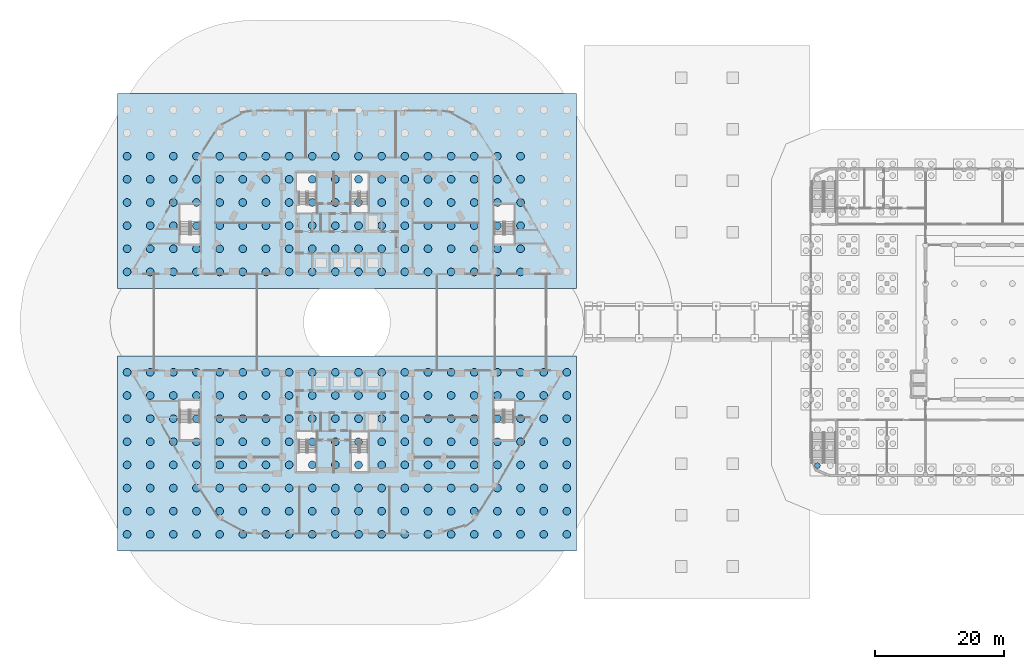
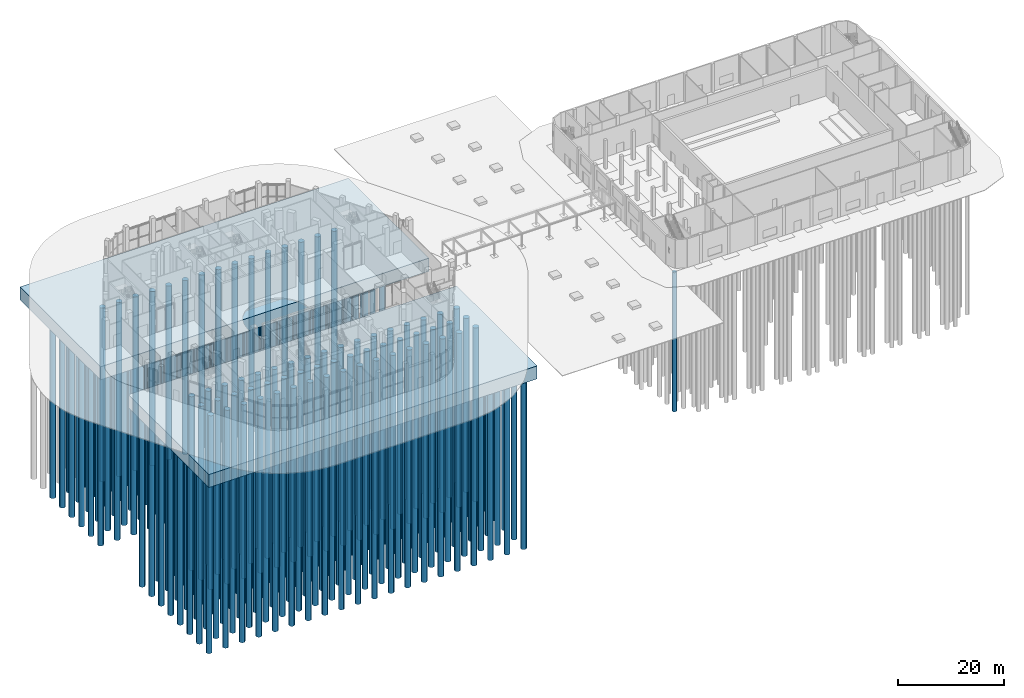
# One storey, part 1 of 44: 269 piles, 2 footings.
"""IFC4 building model written with IfcOpenShell, lengths in metres."""

from ifc_helpers import new_model, si_unit, direction, frame, origin, origin_2d, place, context, subcontext, project, spatial, rectangle, circle, extrude, material, material_profile, profile_set, type_object, element, save


model = new_model("IFC4")

# Units and contexts
model_context = context("Model", 3, precision=1e-05, world=origin(), true_north=direction((0.0, 1.0)))
body_context = subcontext(model_context, "Body", "Model", "MODEL_VIEW")
ifc_project = project(units=[si_unit("LENGTHUNIT", "METRE"), si_unit("AREAUNIT", "SQUARE_METRE"), si_unit("VOLUMEUNIT", "CUBIC_METRE"), si_unit("PLANEANGLEUNIT", "RADIAN"), si_unit("MASSUNIT", "GRAM", prefix="KILO")], contexts=[model_context])

# Site, building, storey
site_placement = place(None, origin())
site = spatial("IfcSite", under=ifc_project, at=site_placement, CompositionType="ELEMENT")
building_placement = place(site_placement, origin())
building = spatial("IfcBuilding", under=site, at=building_placement, Name="Nakaniwa Court", CompositionType="ELEMENT")
storey_placement = place(building_placement, origin())
storey = spatial("IfcBuildingStorey", under=building, at=storey_placement, Name="L00", CompositionType="ELEMENT", Elevation=0.0)

# Piles
ifc_material_1 = material(Name="Concrete C50/60", Category="concrete")
ifc_material_profile_1 = material_profile(ifc_material_1, circle(Radius=0.60009765625, at=origin_2d()), Name="Concrete C50/60 bored pile D1200")
ifc_profile_set_1 = profile_set([ifc_material_profile_1], Name="Concrete C50/60")
pile_type_1 = type_object("IfcPileType", Name="Concrete C50/60 bored pile D1200", PredefinedType="BORED", material=ifc_profile_set_1)
for number, where, z_axis, x_axis, name in (
    (1, (45.800048828125, 46.99853515625, -4.64990234375), (0.0, 0.0, -1.0), (1.0, 0.0, 0.0), "BORED PILE"),
    (2, (45.800048828125, 50.5986328125, -4.64990234375), (0.0, 0.0, -1.0), (1.0, 0.0, 0.0), "BORED PILE"),
    (3, (45.800048828125, 54.198486328125, -4.64990234375), (0.0, 0.0, -1.0), (1.0, 0.0, 0.0), "BORED PILE"),
    (4, (45.800048828125, 57.798583984375, -4.64990234375), (0.0, 0.0, -1.0), (1.0, 0.0, 0.0), "BORED PILE"),
    (5, (45.800048828125, 61.398681640625, -4.64990234375), (0.0, 0.0, -1.0), (1.0, 0.0, 0.0), "BORED PILE"),
    (6, (45.800048828125, 64.99853515625, -4.64990234375), (0.0, 0.0, -1.0), (1.0, 0.0, 0.0), "BORED PILE"),
    (7, (45.800048828125, 68.5986328125, -4.64990234375), (0.0, 0.0, -1.0), (1.0, 0.0, 0.0), "BORED PILE"),
    (8, (45.800048828125, 72.198486328125, -4.64990234375), (0.0, 0.0, -1.0), (1.0, 0.0, 0.0), "BORED PILE"),
    (9, (49.39990234375, 46.99853515625, -4.64990234375), (0.0, 0.0, -1.0), (1.0, 0.0, 0.0), "BORED PILE"),
    (10, (49.39990234375, 50.5986328125, -4.64990234375), (0.0, 0.0, -1.0), (1.0, 0.0, 0.0), "BORED PILE"),
    (11, (49.39990234375, 54.198486328125, -4.64990234375), (0.0, 0.0, -1.0), (1.0, 0.0, 0.0), "BORED PILE"),
    (12, (49.39990234375, 57.798583984375, -4.64990234375), (0.0, 0.0, -1.0), (1.0, 0.0, 0.0), "BORED PILE"),
    (13, (49.39990234375, 61.398681640625, -4.64990234375), (0.0, 0.0, -1.0), (1.0, 0.0, 0.0), "BORED PILE"),
    (14, (49.39990234375, 64.99853515625, -4.64990234375), (0.0, 0.0, -1.0), (1.0, 0.0, 0.0), "BORED PILE"),
    (15, (49.39990234375, 68.5986328125, -4.64990234375), (0.0, 0.0, -1.0), (1.0, 0.0, 0.0), "BORED PILE"),
    (16, (49.39990234375, 72.198486328125, -4.64990234375), (0.0, 0.0, -1.0), (1.0, 0.0, 0.0), "BORED PILE"),
    (17, (53.0, 46.99853515625, -4.64990234375), (0.0, 0.0, -1.0), (1.0, 0.0, 0.0), "BORED PILE"),
    (18, (53.0, 50.5986328125, -4.64990234375), (0.0, 0.0, -1.0), (1.0, 0.0, 0.0), "BORED PILE"),
    (19, (53.0, 54.198486328125, -4.64990234375), (0.0, 0.0, -1.0), (1.0, 0.0, 0.0), "BORED PILE"),
    (20, (53.0, 57.798583984375, -4.64990234375), (0.0, 0.0, -1.0), (1.0, 0.0, 0.0), "BORED PILE"),
    (21, (53.0, 61.398681640625, -4.64990234375), (0.0, 0.0, -1.0), (1.0, 0.0, 0.0), "BORED PILE"),
    (22, (53.0, 64.99853515625, -4.64990234375), (0.0, 0.0, -1.0), (1.0, 0.0, 0.0), "BORED PILE"),
    (23, (53.0, 68.5986328125, -4.64990234375), (0.0, 0.0, -1.0), (1.0, 0.0, 0.0), "BORED PILE"),
    (24, (53.0, 72.198486328125, -4.64990234375), (0.0, 0.0, -1.0), (1.0, 0.0, 0.0), "BORED PILE"),
    (25, (56.60009765625, 46.99853515625, -4.64990234375), (0.0, 0.0, -1.0), (1.0, 0.0, 0.0), "BORED PILE"),
    (26, (56.60009765625, 50.5986328125, -4.64990234375), (0.0, 0.0, -1.0), (1.0, 0.0, 0.0), "BORED PILE"),
    (27, (56.60009765625, 54.198486328125, -4.64990234375), (0.0, 0.0, -1.0), (1.0, 0.0, 0.0), "BORED PILE"),
    (28, (56.60009765625, 57.798583984375, -4.64990234375), (0.0, 0.0, -1.0), (1.0, 0.0, 0.0), "BORED PILE"),
    (29, (56.60009765625, 61.398681640625, -4.64990234375), (0.0, 0.0, -1.0), (1.0, 0.0, 0.0), "BORED PILE"),
    (30, (56.60009765625, 64.99853515625, -4.64990234375), (0.0, 0.0, -1.0), (1.0, 0.0, 0.0), "BORED PILE"),
    (31, (56.60009765625, 68.5986328125, -4.64990234375), (0.0, 0.0, -1.0), (1.0, 0.0, 0.0), "BORED PILE"),
    (32, (56.60009765625, 72.198486328125, -4.64990234375), (0.0, 0.0, -1.0), (1.0, 0.0, 0.0), "BORED PILE"),
    (33, (60.199951171875, 46.99853515625, -4.64990234375), (0.0, 0.0, -1.0), (1.0, 0.0, 0.0), "BORED PILE"),
    (34, (60.199951171875, 50.5986328125, -4.64990234375), (0.0, 0.0, -1.0), (1.0, 0.0, 0.0), "BORED PILE"),
    (35, (60.199951171875, 54.198486328125, -4.64990234375), (0.0, 0.0, -1.0), (1.0, 0.0, 0.0), "BORED PILE"),
    (36, (60.199951171875, 57.798583984375, -4.64990234375), (0.0, 0.0, -1.0), (1.0, 0.0, 0.0), "BORED PILE"),
    (37, (60.199951171875, 61.398681640625, -4.64990234375), (0.0, 0.0, -1.0), (1.0, 0.0, 0.0), "BORED PILE"),
    (38, (60.199951171875, 64.99853515625, -4.64990234375), (0.0, 0.0, -1.0), (1.0, 0.0, 0.0), "BORED PILE"),
    (39, (60.199951171875, 68.5986328125, -4.64990234375), (0.0, 0.0, -1.0), (1.0, 0.0, 0.0), "BORED PILE"),
    (40, (60.199951171875, 72.198486328125, -4.64990234375), (0.0, 0.0, -1.0), (1.0, 0.0, 0.0), "BORED PILE"),
    (41, (63.800048828125, 46.99853515625, -4.64990234375), (0.0, 0.0, -1.0), (1.0, 0.0, 0.0), "BORED PILE"),
    (42, (63.800048828125, 50.5986328125, -4.64990234375), (0.0, 0.0, -1.0), (1.0, 0.0, 0.0), "BORED PILE"),
    (43, (63.800048828125, 54.198486328125, -4.64990234375), (0.0, 0.0, -1.0), (1.0, 0.0, 0.0), "BORED PILE"),
    (44, (63.800048828125, 57.798583984375, -4.64990234375), (0.0, 0.0, -1.0), (1.0, 0.0, 0.0), "BORED PILE"),
    (45, (63.800048828125, 61.398681640625, -4.64990234375), (0.0, 0.0, -1.0), (1.0, 0.0, 0.0), "BORED PILE"),
    (46, (63.800048828125, 64.99853515625, -4.64990234375), (0.0, 0.0, -1.0), (1.0, 0.0, 0.0), "BORED PILE"),
    (47, (63.800048828125, 68.5986328125, -4.64990234375), (0.0, 0.0, -1.0), (1.0, 0.0, 0.0), "BORED PILE"),
    (48, (63.800048828125, 72.198486328125, -4.64990234375), (0.0, 0.0, -1.0), (1.0, 0.0, 0.0), "BORED PILE"),
    (49, (67.39990234375, 46.99853515625, -4.64990234375), (0.0, 0.0, -1.0), (1.0, 0.0, 0.0), "BORED PILE"),
    (50, (67.39990234375, 50.5986328125, -4.64990234375), (0.0, 0.0, -1.0), (1.0, 0.0, 0.0), "BORED PILE"),
    (51, (67.39990234375, 54.198486328125, -4.64990234375), (0.0, 0.0, -1.0), (1.0, 0.0, 0.0), "BORED PILE"),
    (52, (67.39990234375, 57.798583984375, -4.64990234375), (0.0, 0.0, -1.0), (1.0, 0.0, 0.0), "BORED PILE"),
    (53, (67.39990234375, 61.398681640625, -4.64990234375), (0.0, 0.0, -1.0), (1.0, 0.0, 0.0), "BORED PILE"),
    (54, (67.39990234375, 64.99853515625, -4.64990234375), (0.0, 0.0, -1.0), (1.0, 0.0, 0.0), "BORED PILE"),
    (55, (67.39990234375, 68.5986328125, -4.64990234375), (0.0, 0.0, -1.0), (1.0, 0.0, 0.0), "BORED PILE"),
    (56, (67.39990234375, 72.198486328125, -4.64990234375), (0.0, 0.0, -1.0), (1.0, 0.0, 0.0), "BORED PILE"),
    (57, (71.0, 46.99853515625, -4.64990234375), (0.0, 0.0, -1.0), (1.0, 0.0, 0.0), "BORED PILE"),
    (58, (71.0, 50.5986328125, -4.64990234375), (0.0, 0.0, -1.0), (1.0, 0.0, 0.0), "BORED PILE"),
    (59, (71.0, 54.198486328125, -4.64990234375), (0.0, 0.0, -1.0), (1.0, 0.0, 0.0), "BORED PILE"),
    (60, (71.0, 57.798583984375, -4.64990234375), (0.0, 0.0, -1.0), (1.0, 0.0, 0.0), "BORED PILE"),
    (61, (71.0, 61.398681640625, -4.64990234375), (0.0, 0.0, -1.0), (1.0, 0.0, 0.0), "BORED PILE"),
    (62, (71.0, 64.99853515625, -4.64990234375), (0.0, 0.0, -1.0), (1.0, 0.0, 0.0), "BORED PILE"),
    (63, (71.0, 68.5986328125, -4.64990234375), (0.0, 0.0, -1.0), (1.0, 0.0, 0.0), "BORED PILE"),
    (64, (71.0, 72.198486328125, -4.64990234375), (0.0, 0.0, -1.0), (1.0, 0.0, 0.0), "BORED PILE"),
    (65, (74.60009765625, 46.99853515625, -4.64990234375), (0.0, 0.0, -1.0), (1.0, 0.0, 0.0), "BORED PILE"),
    (66, (74.60009765625, 50.5986328125, -4.64990234375), (0.0, 0.0, -1.0), (1.0, 0.0, 0.0), "BORED PILE"),
    (67, (74.60009765625, 54.198486328125, -4.64990234375), (0.0, 0.0, -1.0), (1.0, 0.0, 0.0), "BORED PILE"),
    (68, (74.60009765625, 57.798583984375, -4.64990234375), (0.0, 0.0, -1.0), (1.0, 0.0, 0.0), "BORED PILE"),
    (69, (74.60009765625, 61.398681640625, -4.64990234375), (0.0, 0.0, -1.0), (1.0, 0.0, 0.0), "BORED PILE"),
    (70, (74.60009765625, 64.99853515625, -4.64990234375), (0.0, 0.0, -1.0), (1.0, 0.0, 0.0), "BORED PILE"),
    (71, (74.60009765625, 68.5986328125, -4.64990234375), (0.0, 0.0, -1.0), (1.0, 0.0, 0.0), "BORED PILE"),
    (72, (74.60009765625, 72.198486328125, -4.64990234375), (0.0, 0.0, -1.0), (1.0, 0.0, 0.0), "BORED PILE"),
    (73, (78.199951171875, 46.99853515625, -4.64990234375), (0.0, 0.0, -1.0), (1.0, 0.0, 0.0), "BORED PILE"),
    (74, (78.199951171875, 50.5986328125, -4.64990234375), (0.0, 0.0, -1.0), (1.0, 0.0, 0.0), "BORED PILE"),
    (75, (78.199951171875, 54.198486328125, -4.64990234375), (0.0, 0.0, -1.0), (1.0, 0.0, 0.0), "BORED PILE"),
    (76, (78.199951171875, 57.798583984375, -4.64990234375), (0.0, 0.0, -1.0), (1.0, 0.0, 0.0), "BORED PILE"),
    (77, (78.199951171875, 61.398681640625, -4.64990234375), (0.0, 0.0, -1.0), (1.0, 0.0, 0.0), "BORED PILE"),
    (78, (78.199951171875, 64.99853515625, -4.64990234375), (0.0, 0.0, -1.0), (1.0, 0.0, 0.0), "BORED PILE"),
    (79, (78.199951171875, 68.5986328125, -4.64990234375), (0.0, 0.0, -1.0), (1.0, 0.0, 0.0), "BORED PILE"),
    (80, (78.199951171875, 72.198486328125, -4.64990234375), (0.0, 0.0, -1.0), (1.0, 0.0, 0.0), "BORED PILE"),
    (81, (81.800048828125, 46.99853515625, -4.64990234375), (0.0, 0.0, -1.0), (1.0, 0.0, 0.0), "BORED PILE"),
    (82, (81.800048828125, 50.5986328125, -4.64990234375), (0.0, 0.0, -1.0), (1.0, 0.0, 0.0), "BORED PILE"),
    (83, (81.800048828125, 54.198486328125, -4.64990234375), (0.0, 0.0, -1.0), (1.0, 0.0, 0.0), "BORED PILE"),
    (84, (81.800048828125, 57.798583984375, -4.64990234375), (0.0, 0.0, -1.0), (1.0, 0.0, 0.0), "BORED PILE"),
    (85, (81.800048828125, 61.398681640625, -4.64990234375), (0.0, 0.0, -1.0), (1.0, 0.0, 0.0), "BORED PILE"),
    (86, (81.800048828125, 64.99853515625, -4.64990234375), (0.0, 0.0, -1.0), (1.0, 0.0, 0.0), "BORED PILE"),
    (87, (81.800048828125, 68.5986328125, -4.64990234375), (0.0, 0.0, -1.0), (1.0, 0.0, 0.0), "BORED PILE"),
    (88, (81.800048828125, 72.198486328125, -4.64990234375), (0.0, 0.0, -1.0), (1.0, 0.0, 0.0), "BORED PILE"),
    (89, (85.39990234375, 46.99853515625, -4.64990234375), (0.0, 0.0, -1.0), (1.0, 0.0, 0.0), "BORED PILE"),
    (90, (85.39990234375, 50.5986328125, -4.64990234375), (0.0, 0.0, -1.0), (1.0, 0.0, 0.0), "BORED PILE"),
    (91, (85.39990234375, 54.198486328125, -4.64990234375), (0.0, 0.0, -1.0), (1.0, 0.0, 0.0), "BORED PILE"),
    (92, (85.39990234375, 57.798583984375, -4.64990234375), (0.0, 0.0, -1.0), (1.0, 0.0, 0.0), "BORED PILE"),
    (93, (85.39990234375, 61.398681640625, -4.64990234375), (0.0, 0.0, -1.0), (1.0, 0.0, 0.0), "BORED PILE"),
    (94, (85.39990234375, 64.99853515625, -4.64990234375), (0.0, 0.0, -1.0), (1.0, 0.0, 0.0), "BORED PILE"),
    (95, (85.39990234375, 68.5986328125, -4.64990234375), (0.0, 0.0, -1.0), (1.0, 0.0, 0.0), "BORED PILE"),
    (96, (85.39990234375, 72.198486328125, -4.64990234375), (0.0, 0.0, -1.0), (1.0, 0.0, 0.0), "BORED PILE"),
    (97, (89.0, 46.99853515625, -4.64990234375), (0.0, 0.0, -1.0), (1.0, 0.0, 0.0), "BORED PILE"),
    (98, (89.0, 50.5986328125, -4.64990234375), (0.0, 0.0, -1.0), (1.0, 0.0, 0.0), "BORED PILE"),
    (99, (89.0, 54.198486328125, -4.64990234375), (0.0, 0.0, -1.0), (1.0, 0.0, 0.0), "BORED PILE"),
    (100, (89.0, 57.798583984375, -4.64990234375), (0.0, 0.0, -1.0), (1.0, 0.0, 0.0), "BORED PILE"),
    (101, (89.0, 61.398681640625, -4.64990234375), (0.0, 0.0, -1.0), (1.0, 0.0, 0.0), "BORED PILE"),
    (102, (89.0, 64.99853515625, -4.64990234375), (0.0, 0.0, -1.0), (1.0, 0.0, 0.0), "BORED PILE"),
    (103, (89.0, 68.5986328125, -4.64990234375), (0.0, 0.0, -1.0), (1.0, 0.0, 0.0), "BORED PILE"),
    (104, (89.0, 72.198486328125, -4.64990234375), (0.0, 0.0, -1.0), (1.0, 0.0, 0.0), "BORED PILE"),
    (105, (92.60009765625, 46.99853515625, -4.64990234375), (0.0, 0.0, -1.0), (1.0, 0.0, 0.0), "BORED PILE"),
    (106, (92.60009765625, 50.5986328125, -4.64990234375), (0.0, 0.0, -1.0), (1.0, 0.0, 0.0), "BORED PILE"),
    (107, (92.60009765625, 54.198486328125, -4.64990234375), (0.0, 0.0, -1.0), (1.0, 0.0, 0.0), "BORED PILE"),
    (108, (92.60009765625, 57.798583984375, -4.64990234375), (0.0, 0.0, -1.0), (1.0, 0.0, 0.0), "BORED PILE"),
    (109, (92.60009765625, 61.398681640625, -4.64990234375), (0.0, 0.0, -1.0), (1.0, 0.0, 0.0), "BORED PILE"),
    (110, (92.60009765625, 64.99853515625, -4.64990234375), (0.0, 0.0, -1.0), (1.0, 0.0, 0.0), "BORED PILE"),
    (111, (92.60009765625, 68.5986328125, -4.64990234375), (0.0, 0.0, -1.0), (1.0, 0.0, 0.0), "BORED PILE"),
    (112, (92.60009765625, 72.198486328125, -4.64990234375), (0.0, 0.0, -1.0), (1.0, 0.0, 0.0), "BORED PILE"),
    (113, (96.199951171875, 46.99853515625, -4.64990234375), (0.0, 0.0, -1.0), (1.0, 0.0, 0.0), "BORED PILE"),
    (114, (96.199951171875, 50.5986328125, -4.64990234375), (0.0, 0.0, -1.0), (1.0, 0.0, 0.0), "BORED PILE"),
    (115, (96.199951171875, 54.198486328125, -4.64990234375), (0.0, 0.0, -1.0), (1.0, 0.0, 0.0), "BORED PILE"),
    (116, (96.199951171875, 57.798583984375, -4.64990234375), (0.0, 0.0, -1.0), (1.0, 0.0, 0.0), "BORED PILE"),
    (117, (96.199951171875, 61.398681640625, -4.64990234375), (0.0, 0.0, -1.0), (1.0, 0.0, 0.0), "BORED PILE"),
    (118, (96.199951171875, 64.99853515625, -4.64990234375), (0.0, 0.0, -1.0), (1.0, 0.0, 0.0), "BORED PILE"),
    (119, (96.199951171875, 68.5986328125, -4.64990234375), (0.0, 0.0, -1.0), (1.0, 0.0, 0.0), "BORED PILE"),
    (120, (96.199951171875, 72.198486328125, -4.64990234375), (0.0, 0.0, -1.0), (1.0, 0.0, 0.0), "BORED PILE"),
    (121, (99.800048828125, 46.99853515625, -4.64990234375), (0.0, 0.0, -1.0), (1.0, 0.0, 0.0), "BORED PILE"),
    (122, (99.800048828125, 50.5986328125, -4.64990234375), (0.0, 0.0, -1.0), (1.0, 0.0, 0.0), "BORED PILE"),
    (123, (99.800048828125, 54.198486328125, -4.64990234375), (0.0, 0.0, -1.0), (1.0, 0.0, 0.0), "BORED PILE"),
    (124, (99.800048828125, 57.798583984375, -4.64990234375), (0.0, 0.0, -1.0), (1.0, 0.0, 0.0), "BORED PILE"),
    (125, (99.800048828125, 61.398681640625, -4.64990234375), (0.0, 0.0, -1.0), (1.0, 0.0, 0.0), "BORED PILE"),
    (126, (99.800048828125, 64.99853515625, -4.64990234375), (0.0, 0.0, -1.0), (1.0, 0.0, 0.0), "BORED PILE"),
    (127, (99.800048828125, 68.5986328125, -4.64990234375), (0.0, 0.0, -1.0), (1.0, 0.0, 0.0), "BORED PILE"),
    (128, (99.800048828125, 72.198486328125, -4.64990234375), (0.0, 0.0, -1.0), (1.0, 0.0, 0.0), "BORED PILE"),
    (129, (103.39990234375, 46.99853515625, -4.64990234375), (0.0, 0.0, -1.0), (1.0, 0.0, 0.0), "BORED PILE"),
    (130, (103.39990234375, 50.5986328125, -4.64990234375), (0.0, 0.0, -1.0), (1.0, 0.0, 0.0), "BORED PILE"),
    (131, (103.39990234375, 54.198486328125, -4.64990234375), (0.0, 0.0, -1.0), (1.0, 0.0, 0.0), "BORED PILE"),
    (132, (103.39990234375, 57.798583984375, -4.64990234375), (0.0, 0.0, -1.0), (1.0, 0.0, 0.0), "BORED PILE"),
    (133, (103.39990234375, 61.398681640625, -4.64990234375), (0.0, 0.0, -1.0), (1.0, 0.0, 0.0), "BORED PILE"),
    (134, (103.39990234375, 64.99853515625, -4.64990234375), (0.0, 0.0, -1.0), (1.0, 0.0, 0.0), "BORED PILE"),
    (135, (103.39990234375, 68.5986328125, -4.64990234375), (0.0, 0.0, -1.0), (1.0, 0.0, 0.0), "BORED PILE"),
    (136, (103.39990234375, 72.198486328125, -4.64990234375), (0.0, 0.0, -1.0), (1.0, 0.0, 0.0), "BORED PILE"),
    (137, (107.0, 46.99853515625, -4.64990234375), (0.0, 0.0, -1.0), (1.0, 0.0, 0.0), "BORED PILE"),
    (138, (107.0, 50.5986328125, -4.64990234375), (0.0, 0.0, -1.0), (1.0, 0.0, 0.0), "BORED PILE"),
    (139, (107.0, 54.198486328125, -4.64990234375), (0.0, 0.0, -1.0), (1.0, 0.0, 0.0), "BORED PILE"),
    (140, (107.0, 57.798583984375, -4.64990234375), (0.0, 0.0, -1.0), (1.0, 0.0, 0.0), "BORED PILE"),
    (141, (107.0, 61.398681640625, -4.64990234375), (0.0, 0.0, -1.0), (1.0, 0.0, 0.0), "BORED PILE"),
    (142, (107.0, 64.99853515625, -4.64990234375), (0.0, 0.0, -1.0), (1.0, 0.0, 0.0), "BORED PILE"),
    (143, (107.0, 68.5986328125, -4.64990234375), (0.0, 0.0, -1.0), (1.0, 0.0, 0.0), "BORED PILE"),
    (144, (107.0, 72.198486328125, -4.64990234375), (0.0, 0.0, -1.0), (1.0, 0.0, 0.0), "BORED PILE"),
    (145, (110.60009765625, 46.99853515625, -4.64990234375), (0.0, 0.0, -1.0), (1.0, 0.0, 0.0), "BORED PILE"),
    (146, (110.60009765625, 50.5986328125, -4.64990234375), (0.0, 0.0, -1.0), (1.0, 0.0, 0.0), "BORED PILE"),
    (147, (110.60009765625, 54.198486328125, -4.64990234375), (0.0, 0.0, -1.0), (1.0, 0.0, 0.0), "BORED PILE"),
    (148, (110.60009765625, 57.798583984375, -4.64990234375), (0.0, 0.0, -1.0), (1.0, 0.0, 0.0), "BORED PILE"),
    (149, (110.60009765625, 61.398681640625, -4.64990234375), (0.0, 0.0, -1.0), (1.0, 0.0, 0.0), "BORED PILE"),
    (150, (110.60009765625, 64.99853515625, -4.64990234375), (0.0, 0.0, -1.0), (1.0, 0.0, 0.0), "BORED PILE"),
    (151, (110.60009765625, 68.5986328125, -4.64990234375), (0.0, 0.0, -1.0), (1.0, 0.0, 0.0), "BORED PILE"),
    (152, (110.60009765625, 72.198486328125, -4.64990234375), (0.0, 0.0, -1.0), (1.0, 0.0, 0.0), "BORED PILE"),
    (153, (114.199951171875, 46.99853515625, -4.64990234375), (0.0, 0.0, -1.0), (1.0, 0.0, 0.0), "BORED PILE"),
    (154, (114.199951171875, 50.5986328125, -4.64990234375), (0.0, 0.0, -1.0), (1.0, 0.0, 0.0), "BORED PILE"),
    (155, (114.199951171875, 54.198486328125, -4.64990234375), (0.0, 0.0, -1.0), (1.0, 0.0, 0.0), "BORED PILE"),
    (156, (114.199951171875, 57.798583984375, -4.64990234375), (0.0, 0.0, -1.0), (1.0, 0.0, 0.0), "BORED PILE"),
    (157, (114.199951171875, 61.398681640625, -4.64990234375), (0.0, 0.0, -1.0), (1.0, 0.0, 0.0), "BORED PILE"),
    (158, (114.199951171875, 64.99853515625, -4.64990234375), (0.0, 0.0, -1.0), (1.0, 0.0, 0.0), "BORED PILE"),
    (159, (114.199951171875, 68.5986328125, -4.64990234375), (0.0, 0.0, -1.0), (1.0, 0.0, 0.0), "BORED PILE"),
    (160, (114.199951171875, 72.198486328125, -4.64990234375), (0.0, 0.0, -1.0), (1.0, 0.0, 0.0), "BORED PILE"),
    (161, (45.800048828125, 87.814697265625, -4.64990234375), (0.0, 0.0, -1.0), (1.0, 0.0, 0.0), "BORED PILE"),
    (162, (45.800048828125, 91.414794921875, -4.64990234375), (0.0, 0.0, -1.0), (1.0, 0.0, 0.0), "BORED PILE"),
    (163, (45.800048828125, 95.0146484375, -4.64990234375), (0.0, 0.0, -1.0), (1.0, 0.0, 0.0), "BORED PILE"),
    (164, (45.800048828125, 98.61474609375, -4.64990234375), (0.0, 0.0, -1.0), (1.0, 0.0, 0.0), "BORED PILE"),
    (165, (45.800048828125, 102.214599609375, -4.64990234375), (0.0, 0.0, -1.0), (1.0, 0.0, 0.0), "BORED PILE"),
    (166, (45.800048828125, 105.814697265625, -4.64990234375), (0.0, 0.0, -1.0), (1.0, 0.0, 0.0), "BORED PILE"),
    (167, (49.39990234375, 87.814697265625, -4.64990234375), (0.0, 0.0, -1.0), (1.0, 0.0, 0.0), "BORED PILE"),
    (168, (49.39990234375, 91.414794921875, -4.64990234375), (0.0, 0.0, -1.0), (1.0, 0.0, 0.0), "BORED PILE"),
    (169, (49.39990234375, 95.0146484375, -4.64990234375), (0.0, 0.0, -1.0), (1.0, 0.0, 0.0), "BORED PILE"),
    (170, (49.39990234375, 98.61474609375, -4.64990234375), (0.0, 0.0, -1.0), (1.0, 0.0, 0.0), "BORED PILE"),
    (171, (49.39990234375, 102.214599609375, -4.64990234375), (0.0, 0.0, -1.0), (1.0, 0.0, 0.0), "BORED PILE"),
    (172, (49.39990234375, 105.814697265625, -4.64990234375), (0.0, 0.0, -1.0), (1.0, 0.0, 0.0), "BORED PILE"),
    (173, (53.0, 87.814697265625, -4.64990234375), (0.0, 0.0, -1.0), (1.0, 0.0, 0.0), "BORED PILE"),
    (174, (53.0, 91.414794921875, -4.64990234375), (0.0, 0.0, -1.0), (1.0, 0.0, 0.0), "BORED PILE"),
    (175, (53.0, 95.0146484375, -4.64990234375), (0.0, 0.0, -1.0), (1.0, 0.0, 0.0), "BORED PILE"),
    (176, (53.0, 98.61474609375, -4.64990234375), (0.0, 0.0, -1.0), (1.0, 0.0, 0.0), "BORED PILE"),
    (177, (53.0, 102.214599609375, -4.64990234375), (0.0, 0.0, -1.0), (1.0, 0.0, 0.0), "BORED PILE"),
    (178, (53.0, 105.814697265625, -4.64990234375), (0.0, 0.0, -1.0), (1.0, 0.0, 0.0), "BORED PILE"),
    (179, (56.60009765625, 87.814697265625, -4.64990234375), (0.0, 0.0, -1.0), (1.0, 0.0, 0.0), "BORED PILE"),
    (180, (56.60009765625, 91.414794921875, -4.64990234375), (0.0, 0.0, -1.0), (1.0, 0.0, 0.0), "BORED PILE"),
    (181, (56.60009765625, 95.0146484375, -4.64990234375), (0.0, 0.0, -1.0), (1.0, 0.0, 0.0), "BORED PILE"),
    (182, (56.60009765625, 98.61474609375, -4.64990234375), (0.0, 0.0, -1.0), (1.0, 0.0, 0.0), "BORED PILE"),
    (183, (56.60009765625, 102.214599609375, -4.64990234375), (0.0, 0.0, -1.0), (1.0, 0.0, 0.0), "BORED PILE"),
    (184, (56.60009765625, 105.814697265625, -4.64990234375), (0.0, 0.0, -1.0), (1.0, 0.0, 0.0), "BORED PILE"),
    (185, (60.199951171875, 87.814697265625, -4.64990234375), (0.0, 0.0, -1.0), (1.0, 0.0, 0.0), "BORED PILE"),
    (186, (60.199951171875, 91.414794921875, -4.64990234375), (0.0, 0.0, -1.0), (1.0, 0.0, 0.0), "BORED PILE"),
    (187, (60.199951171875, 95.0146484375, -4.64990234375), (0.0, 0.0, -1.0), (1.0, 0.0, 0.0), "BORED PILE"),
    (188, (60.199951171875, 98.61474609375, -4.64990234375), (0.0, 0.0, -1.0), (1.0, 0.0, 0.0), "BORED PILE"),
    (189, (60.199951171875, 102.214599609375, -4.64990234375), (0.0, 0.0, -1.0), (1.0, 0.0, 0.0), "BORED PILE"),
    (190, (60.199951171875, 105.814697265625, -4.64990234375), (0.0, 0.0, -1.0), (1.0, 0.0, 0.0), "BORED PILE"),
    (191, (63.800048828125, 87.814697265625, -4.64990234375), (0.0, 0.0, -1.0), (1.0, 0.0, 0.0), "BORED PILE"),
    (192, (63.800048828125, 91.414794921875, -4.64990234375), (0.0, 0.0, -1.0), (1.0, 0.0, 0.0), "BORED PILE"),
    (193, (63.800048828125, 95.0146484375, -4.64990234375), (0.0, 0.0, -1.0), (1.0, 0.0, 0.0), "BORED PILE"),
    (194, (63.800048828125, 98.61474609375, -4.64990234375), (0.0, 0.0, -1.0), (1.0, 0.0, 0.0), "BORED PILE"),
    (195, (63.800048828125, 102.214599609375, -4.64990234375), (0.0, 0.0, -1.0), (1.0, 0.0, 0.0), "BORED PILE"),
    (196, (63.800048828125, 105.814697265625, -4.64990234375), (0.0, 0.0, -1.0), (1.0, 0.0, 0.0), "BORED PILE"),
    (197, (67.39990234375, 87.814697265625, -4.64990234375), (0.0, 0.0, -1.0), (1.0, 0.0, 0.0), "BORED PILE"),
    (198, (67.39990234375, 91.414794921875, -4.64990234375), (0.0, 0.0, -1.0), (1.0, 0.0, 0.0), "BORED PILE"),
    (199, (67.39990234375, 95.0146484375, -4.64990234375), (0.0, 0.0, -1.0), (1.0, 0.0, 0.0), "BORED PILE"),
    (200, (67.39990234375, 98.61474609375, -4.64990234375), (0.0, 0.0, -1.0), (1.0, 0.0, 0.0), "BORED PILE"),
    (201, (67.39990234375, 102.214599609375, -4.64990234375), (0.0, 0.0, -1.0), (1.0, 0.0, 0.0), "BORED PILE"),
    (202, (67.39990234375, 105.814697265625, -4.64990234375), (0.0, 0.0, -1.0), (1.0, 0.0, 0.0), "BORED PILE"),
    (203, (71.0, 87.814697265625, -4.64990234375), (0.0, 0.0, -1.0), (1.0, 0.0, 0.0), "BORED PILE"),
    (204, (71.0, 91.414794921875, -4.64990234375), (0.0, 0.0, -1.0), (1.0, 0.0, 0.0), "BORED PILE"),
    (205, (71.0, 95.0146484375, -4.64990234375), (0.0, 0.0, -1.0), (1.0, 0.0, 0.0), "BORED PILE"),
    (206, (71.0, 98.61474609375, -4.64990234375), (0.0, 0.0, -1.0), (1.0, 0.0, 0.0), "BORED PILE"),
    (207, (71.0, 102.214599609375, -4.64990234375), (0.0, 0.0, -1.0), (1.0, 0.0, 0.0), "BORED PILE"),
    (208, (71.0, 105.814697265625, -4.64990234375), (0.0, 0.0, -1.0), (1.0, 0.0, 0.0), "BORED PILE"),
    (209, (74.60009765625, 87.814697265625, -4.64990234375), (0.0, 0.0, -1.0), (1.0, 0.0, 0.0), "BORED PILE"),
    (210, (74.60009765625, 91.414794921875, -4.64990234375), (0.0, 0.0, -1.0), (1.0, 0.0, 0.0), "BORED PILE"),
    (211, (74.60009765625, 95.0146484375, -4.64990234375), (0.0, 0.0, -1.0), (1.0, 0.0, 0.0), "BORED PILE"),
    (212, (74.60009765625, 98.61474609375, -4.64990234375), (0.0, 0.0, -1.0), (1.0, 0.0, 0.0), "BORED PILE"),
    (213, (74.60009765625, 102.214599609375, -4.64990234375), (0.0, 0.0, -1.0), (1.0, 0.0, 0.0), "BORED PILE"),
    (214, (74.60009765625, 105.814697265625, -4.64990234375), (0.0, 0.0, -1.0), (1.0, 0.0, 0.0), "BORED PILE"),
    (215, (78.199951171875, 87.814697265625, -4.64990234375), (0.0, 0.0, -1.0), (1.0, 0.0, 0.0), "BORED PILE"),
    (216, (78.199951171875, 91.414794921875, -4.64990234375), (0.0, 0.0, -1.0), (1.0, 0.0, 0.0), "BORED PILE"),
    (217, (78.199951171875, 95.0146484375, -4.64990234375), (0.0, 0.0, -1.0), (1.0, 0.0, 0.0), "BORED PILE"),
    (218, (78.199951171875, 98.61474609375, -4.64990234375), (0.0, 0.0, -1.0), (1.0, 0.0, 0.0), "BORED PILE"),
    (219, (78.199951171875, 102.214599609375, -4.64990234375), (0.0, 0.0, -1.0), (1.0, 0.0, 0.0), "BORED PILE"),
    (220, (78.199951171875, 105.814697265625, -4.64990234375), (0.0, 0.0, -1.0), (1.0, 0.0, 0.0), "BORED PILE"),
    (221, (81.800048828125, 87.814697265625, -4.64990234375), (0.0, 0.0, -1.0), (1.0, 0.0, 0.0), "BORED PILE"),
    (222, (81.800048828125, 91.414794921875, -4.64990234375), (0.0, 0.0, -1.0), (1.0, 0.0, 0.0), "BORED PILE"),
    (223, (81.800048828125, 95.0146484375, -4.64990234375), (0.0, 0.0, -1.0), (1.0, 0.0, 0.0), "BORED PILE"),
    (224, (81.800048828125, 98.61474609375, -4.64990234375), (0.0, 0.0, -1.0), (1.0, 0.0, 0.0), "BORED PILE"),
    (225, (81.800048828125, 102.214599609375, -4.64990234375), (0.0, 0.0, -1.0), (1.0, 0.0, 0.0), "BORED PILE"),
    (226, (81.800048828125, 105.814697265625, -4.64990234375), (0.0, 0.0, -1.0), (1.0, 0.0, 0.0), "BORED PILE"),
    (227, (85.39990234375, 87.814697265625, -4.64990234375), (0.0, 0.0, -1.0), (1.0, 0.0, 0.0), "BORED PILE"),
    (228, (85.39990234375, 91.414794921875, -4.64990234375), (0.0, 0.0, -1.0), (1.0, 0.0, 0.0), "BORED PILE"),
    (229, (85.39990234375, 95.0146484375, -4.64990234375), (0.0, 0.0, -1.0), (1.0, 0.0, 0.0), "BORED PILE"),
    (230, (85.39990234375, 98.61474609375, -4.64990234375), (0.0, 0.0, -1.0), (1.0, 0.0, 0.0), "BORED PILE"),
    (231, (85.39990234375, 102.214599609375, -4.64990234375), (0.0, 0.0, -1.0), (1.0, 0.0, 0.0), "BORED PILE"),
    (232, (85.39990234375, 105.814697265625, -4.64990234375), (0.0, 0.0, -1.0), (1.0, 0.0, 0.0), "BORED PILE"),
    (233, (89.0, 87.814697265625, -4.64990234375), (0.0, 0.0, -1.0), (1.0, 0.0, 0.0), "BORED PILE"),
    (234, (89.0, 91.414794921875, -4.64990234375), (0.0, 0.0, -1.0), (1.0, 0.0, 0.0), "BORED PILE"),
    (235, (89.0, 95.0146484375, -4.64990234375), (0.0, 0.0, -1.0), (1.0, 0.0, 0.0), "BORED PILE"),
    (236, (89.0, 98.61474609375, -4.64990234375), (0.0, 0.0, -1.0), (1.0, 0.0, 0.0), "BORED PILE"),
    (237, (89.0, 102.214599609375, -4.64990234375), (0.0, 0.0, -1.0), (1.0, 0.0, 0.0), "BORED PILE"),
    (238, (89.0, 105.814697265625, -4.64990234375), (0.0, 0.0, -1.0), (1.0, 0.0, 0.0), "BORED PILE"),
    (239, (92.60009765625, 87.814697265625, -4.64990234375), (0.0, 0.0, -1.0), (1.0, 0.0, 0.0), "BORED PILE"),
    (240, (92.60009765625, 91.414794921875, -4.64990234375), (0.0, 0.0, -1.0), (1.0, 0.0, 0.0), "BORED PILE"),
    (241, (92.60009765625, 95.0146484375, -4.64990234375), (0.0, 0.0, -1.0), (1.0, 0.0, 0.0), "BORED PILE"),
    (242, (92.60009765625, 98.61474609375, -4.64990234375), (0.0, 0.0, -1.0), (1.0, 0.0, 0.0), "BORED PILE"),
    (243, (92.60009765625, 102.214599609375, -4.64990234375), (0.0, 0.0, -1.0), (1.0, 0.0, 0.0), "BORED PILE"),
    (244, (92.60009765625, 105.814697265625, -4.64990234375), (0.0, 0.0, -1.0), (1.0, 0.0, 0.0), "BORED PILE"),
    (245, (96.199951171875, 87.814697265625, -4.64990234375), (0.0, 0.0, -1.0), (1.0, 0.0, 0.0), "BORED PILE"),
    (246, (96.199951171875, 91.414794921875, -4.64990234375), (0.0, 0.0, -1.0), (1.0, 0.0, 0.0), "BORED PILE"),
    (247, (96.199951171875, 95.0146484375, -4.64990234375), (0.0, 0.0, -1.0), (1.0, 0.0, 0.0), "BORED PILE"),
    (248, (96.199951171875, 98.61474609375, -4.64990234375), (0.0, 0.0, -1.0), (1.0, 0.0, 0.0), "BORED PILE"),
    (249, (96.199951171875, 102.214599609375, -4.64990234375), (0.0, 0.0, -1.0), (1.0, 0.0, 0.0), "BORED PILE"),
    (250, (96.199951171875, 105.814697265625, -4.64990234375), (0.0, 0.0, -1.0), (1.0, 0.0, 0.0), "BORED PILE"),
    (251, (99.800048828125, 87.814697265625, -4.64990234375), (0.0, 0.0, -1.0), (1.0, 0.0, 0.0), "BORED PILE"),
    (252, (99.800048828125, 91.414794921875, -4.64990234375), (0.0, 0.0, -1.0), (1.0, 0.0, 0.0), "BORED PILE"),
    (253, (99.800048828125, 95.0146484375, -4.64990234375), (0.0, 0.0, -1.0), (1.0, 0.0, 0.0), "BORED PILE"),
    (254, (99.800048828125, 98.61474609375, -4.64990234375), (0.0, 0.0, -1.0), (1.0, 0.0, 0.0), "BORED PILE"),
    (255, (99.800048828125, 102.214599609375, -4.64990234375), (0.0, 0.0, -1.0), (1.0, 0.0, 0.0), "BORED PILE"),
    (256, (99.800048828125, 105.814697265625, -4.64990234375), (0.0, 0.0, -1.0), (1.0, 0.0, 0.0), "BORED PILE"),
    (257, (103.39990234375, 87.814697265625, -4.64990234375), (0.0, 0.0, -1.0), (1.0, 0.0, 0.0), "BORED PILE"),
    (258, (103.39990234375, 91.414794921875, -4.64990234375), (0.0, 0.0, -1.0), (1.0, 0.0, 0.0), "BORED PILE"),
    (259, (103.39990234375, 95.0146484375, -4.64990234375), (0.0, 0.0, -1.0), (1.0, 0.0, 0.0), "BORED PILE"),
    (260, (103.39990234375, 98.61474609375, -4.64990234375), (0.0, 0.0, -1.0), (1.0, 0.0, 0.0), "BORED PILE"),
    (261, (103.39990234375, 102.214599609375, -4.64990234375), (0.0, 0.0, -1.0), (1.0, 0.0, 0.0), "BORED PILE"),
    (262, (103.39990234375, 105.814697265625, -4.64990234375), (0.0, 0.0, -1.0), (1.0, 0.0, 0.0), "BORED PILE"),
    (263, (107.0, 87.814697265625, -4.64990234375), (0.0, 0.0, -1.0), (1.0, 0.0, 0.0), "BORED PILE"),
    (264, (107.0, 91.414794921875, -4.64990234375), (0.0, 0.0, -1.0), (1.0, 0.0, 0.0), "BORED PILE"),
    (265, (107.0, 95.0146484375, -4.64990234375), (0.0, 0.0, -1.0), (1.0, 0.0, 0.0), "BORED PILE"),
    (266, (107.0, 98.61474609375, -4.64990234375), (0.0, 0.0, -1.0), (1.0, 0.0, 0.0), "BORED PILE"),
    (267, (107.0, 102.214599609375, -4.64990234375), (0.0, 0.0, -1.0), (1.0, 0.0, 0.0), "BORED PILE"),
    (268, (107.0, 105.814697265625, -4.64990234375), (0.0, 0.0, -1.0), (1.0, 0.0, 0.0), "BORED PILE"),
):
    element("IfcPile", number, at=place(storey_placement, frame(where, z_axis=z_axis, x_axis=x_axis)), inside=storey, type_object=pile_type_1, Name=name, PredefinedType="BORED", context=body_context, shape_type="SweptSolid", body=[
        extrude(circle(Radius=0.60009765625, at=origin_2d()), origin(), (0.0, 0.0, 1.0), 40.0),
    ])

# Footings
footing_type = type_object("IfcFootingType", Name="Concrete C50/60 raft cap 3000", PredefinedType="PILE_CAP", material=ifc_material_1)
footing_1_placement = place(storey_placement, frame((80.0, 59.5986328125, -4.800048828125), z_axis=(0.0, 0.0, 1.0), x_axis=(1.0, 0.0, 0.0)))
element("IfcFooting", 269, at=footing_1_placement, inside=storey, type_object=footing_type, Name="RAFT CAP PC-01", PredefinedType="PILE_CAP", context=body_context, shape_type="SweptSolid", body=[
    extrude(rectangle(XDim=71.39208984375, YDim=30.302978515625, at=origin_2d()), origin(), (0.0, 0.0, 1.0), 3.0),
])
footing_2_placement = place(storey_placement, frame((80.0, 100.414794921875, -4.800048828125), z_axis=(0.0, 0.0, 1.0), x_axis=(1.0, 0.0, 0.0)))
element("IfcFooting", 270, at=footing_2_placement, inside=storey, type_object=footing_type, Name="RAFT CAP PC-02", PredefinedType="PILE_CAP", context=body_context, shape_type="SweptSolid", body=[
    extrude(rectangle(XDim=71.39208984375, YDim=30.3291015625, at=origin_2d()), origin(), (0.0, 0.0, 1.0), 3.0),
])

# Pile
ifc_material_2 = material(Name="Concrete C40/50", Category="concrete")
ifc_material_profile_2 = material_profile(ifc_material_2, circle(Radius=0.449951171875, at=origin_2d()), Name="Bored pile D900")
ifc_profile_set_2 = profile_set([ifc_material_profile_2], Name="Concrete C40/50")
pile_type_2 = type_object("IfcPileType", Name="Hall bored pile D900", PredefinedType="BORED", material=ifc_profile_set_2)
pile_placement = place(storey_placement, frame((153.175048828125, 57.693115234375, -1.25), z_axis=(0.0, 0.0, -1.0), x_axis=(1.0, 0.0, 0.0)))
element("IfcPile", 271, at=pile_placement, inside=storey, type_object=pile_type_2, Name="Hall stair 1 pile", PredefinedType="BORED", context=body_context, shape_type="SweptSolid", body=[
    extrude(circle(Radius=0.449951171875, at=origin_2d()), origin(), (0.0, 0.0, 1.0), 32.0),
])

save(model, "model.ifc")
